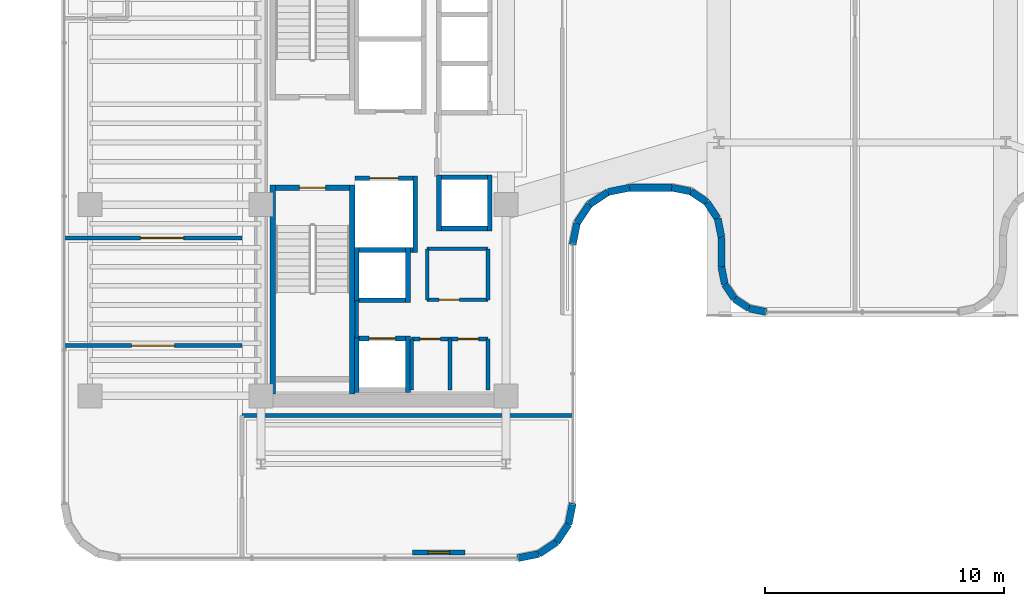
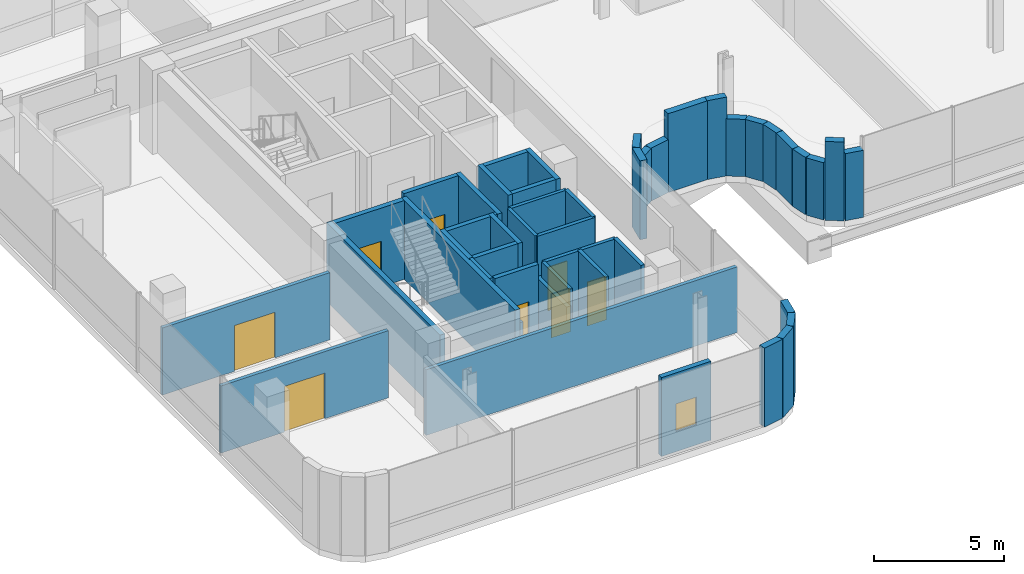
# One storey, part 27 of 35: 47 walls, 8 doors, 1 window, 9 openings.
"""IFC4 building model written with IfcOpenShell, lengths in metres."""

from ifc_helpers import new_model, si_unit, direction, frame, frame_2d, origin, place, context, subcontext, project, spatial, rectangle, extrude, material, layer, layer_set, type_object, element, fill, save


model = new_model("IFC4")

# Units and contexts
model_context = context("Model", 3, precision=1e-05, world=origin(), true_north=direction((0.0, 1.0)))
body_context = subcontext(model_context, "Body", "Model", "MODEL_VIEW")
ifc_project = project(units=[si_unit("LENGTHUNIT", "METRE"), si_unit("AREAUNIT", "SQUARE_METRE"), si_unit("VOLUMEUNIT", "CUBIC_METRE"), si_unit("PLANEANGLEUNIT", "RADIAN"), si_unit("MASSUNIT", "GRAM", prefix="KILO")], contexts=[model_context])

# Site, building, storey
site_placement = place(None, origin())
site = spatial("IfcSite", under=ifc_project, at=site_placement, CompositionType="ELEMENT")
building_placement = place(site_placement, origin())
building = spatial("IfcBuilding", under=site, at=building_placement, Name="Valdorenza Pilgrim Sanctuary Tower", CompositionType="ELEMENT")
storey_placement = place(building_placement, frame((0.0, 0.0, 192.35009765625)))
storey = spatial("IfcBuildingStorey", under=building, at=storey_placement, Name="L49", CompositionType="ELEMENT", Elevation=192.35009765625)

# Wall
ifc_material_1 = material(Name="Acoustic twin-stud gypsum partition", Category="gypsum")
ifc_layer_1 = layer(ifc_material_1, 0.159912109375, Name="Acoustic twin-stud gypsum partition")
ifc_layer_set_1 = layer_set([ifc_layer_1], Name="Acoustic twin-stud gypsum partition")
wall_type_1 = type_object("IfcWallType", Name="WAL-COR-160", PredefinedType="PARTITIONING", material=ifc_layer_set_1)
wall_1_placement = place(storey_placement, frame((-18.64990234375, -8.179931640625, 0.0), z_axis=(0.0, 0.0, 1.0), x_axis=(0.0, 1.0, 0.0)))
element("IfcWall", 1, at=wall_1_placement, inside=storey, type_object=wall_type_1, Name="L49 Core A South Lift Hall West Wall", PredefinedType="PARTITIONING", context=body_context, shape_type="SweptSolid", body=[
    extrude(rectangle(XDim=1.559814453125, YDim=0.159912109375, at=frame_2d((0.77978515625, 0.0))), origin(), (0.0, 0.0, 1.0), 3.7099609375),
])

# Wall, openings, doors
wall_2_placement = place(storey_placement, frame((-16.35009765625, -8.219970703125, 0.0), z_axis=(0.0, 0.0, 1.0), x_axis=(1.0, 0.0, 0.0)))
wall_2 = element("IfcWall", 2, at=wall_2_placement, inside=storey, type_object=wall_type_1, Name="L49 Freed Shaft 1 North Wall", PredefinedType="PARTITIONING", context=body_context, shape_type="SweptSolid", body=[
    extrude(rectangle(XDim=3.2001953125, YDim=0.159912109375, at=frame_2d((1.60009765625, 0.0))), origin(), (0.0, 0.0, 1.0), 3.7099609375),
])
opening_1_placement = place(wall_2_placement, frame((0.35009765625, 0.0, 0.0)))
opening_1 = element("IfcOpeningElement", 3, at=opening_1_placement, cuts=wall_2, Name="Opening DR-RS1", PredefinedType="OPENING", context=body_context, shape_type="SweptSolid", body=[
    extrude(rectangle(XDim=0.85009765625, YDim=2.050048828125, at=frame_2d((0.425048828125, 1.02490234375))), frame((0.0, 0.0947265625, 0.0), z_axis=(0.0, -1.0, 0.0), x_axis=(1.0, 0.0, 0.0)), (0.0, 0.0, 1.0), 0.189697265625),
])
opening_2_placement = place(wall_2_placement, frame((1.949951171875, 0.0, 0.0)))
opening_2 = element("IfcOpeningElement", 4, at=opening_2_placement, cuts=wall_2, Name="Opening DR-RS1", PredefinedType="OPENING", context=body_context, shape_type="SweptSolid", body=[
    extrude(rectangle(XDim=0.85009765625, YDim=2.050048828125, at=frame_2d((0.425048828125, 1.02490234375))), frame((0.0, 0.0947265625, 0.0), z_axis=(0.0, -1.0, 0.0), x_axis=(1.0, 0.0, 0.0)), (0.0, 0.0, 1.0), 0.189697265625),
])
ifc_material_2 = material(Name="Painted galvanized steel", Category="steel")
door_type_1 = type_object("IfcDoorType", Name="DR-RSR-850", OperationType="NOTDEFINED", PredefinedType="DOOR", material=ifc_material_2)
door_1_placement = place(opening_1_placement, origin())
door_1 = element("IfcDoor", 5, at=door_1_placement, inside=storey, type_object=door_type_1, Name="L49 Linen Store Door", OperationType="SINGLE_SWING_RIGHT", OverallHeight=2.050048828125, OverallWidth=0.85009765625, PredefinedType="DOOR", context=body_context, shape_type="SweptSolid", body=[
    extrude(rectangle(XDim=0.85009765625, YDim=2.050048828125, at=frame_2d((0.425048828125, 1.02490234375))), frame((0.0, 0.02490234375, 0.0), z_axis=(0.0, -1.0, 0.0), x_axis=(1.0, 0.0, 0.0)), (0.0, 0.0, 1.0), 0.050048828125),
])
fill(opening_1, door_1)
door_2_placement = place(opening_2_placement, origin())
door_2 = element("IfcDoor", 6, at=door_2_placement, inside=storey, type_object=door_type_1, Name="L49 Cot Store Door", OperationType="SINGLE_SWING_LEFT", OverallHeight=2.050048828125, OverallWidth=0.85009765625, PredefinedType="DOOR", context=body_context, shape_type="SweptSolid", body=[
    extrude(rectangle(XDim=0.85009765625, YDim=2.050048828125, at=frame_2d((0.425048828125, 1.02490234375))), frame((0.0, 0.02490234375, 0.0), z_axis=(0.0, -1.0, 0.0), x_axis=(1.0, 0.0, 0.0)), (0.0, 0.0, 1.0), 0.050048828125),
])
fill(opening_2, door_2)

# Walls
for number, where, z_axis, x_axis, name in (
    (7, (-13.14990234375, -10.35009765625, 0.0), (0.0, 0.0, 1.0), (0.0, 1.0, 0.0), "L49 Freed Shaft 1 East Wall"),
    (8, (-14.75, -10.35009765625, 0.0), (0.0, 0.0, 1.0), (0.0, 1.0, 0.0), "L49 Freed Shaft 1 Split Wall"),
):
    element("IfcWall", number, at=place(storey_placement, frame(where, z_axis=z_axis, x_axis=x_axis)), inside=storey, type_object=wall_type_1, Name=name, PredefinedType="PARTITIONING", context=body_context, shape_type="SweptSolid", body=[
        extrude(rectangle(XDim=2.130126953125, YDim=0.159912109375, at=frame_2d((1.06494140625, 0.0))), origin(), (0.0, 0.0, 1.0), 3.7099609375),
    ])

# Wall, opening, door
wall_3_placement = place(storey_placement, frame((-15.699951171875, -6.580078125, 0.0), z_axis=(0.0, 0.0, 1.0), x_axis=(1.0, 0.0, 0.0)))
wall_3 = element("IfcWall", 9, at=wall_3_placement, inside=storey, type_object=wall_type_1, Name="L49 Freed Shaft 2 South Wall", PredefinedType="PARTITIONING", context=body_context, shape_type="SweptSolid", body=[
    extrude(rectangle(XDim=2.550048828125, YDim=0.159912109375, at=frame_2d((1.27490234375, 0.0))), origin(), (0.0, 0.0, 1.0), 3.7099609375),
])
opening_3_placement = place(wall_3_placement, frame((0.5, 0.0, 0.0)))
opening_3 = element("IfcOpeningElement", 10, at=opening_3_placement, cuts=wall_3, Name="Opening DR-RS1", PredefinedType="OPENING", context=body_context, shape_type="SweptSolid", body=[
    extrude(rectangle(XDim=0.85009765625, YDim=2.050048828125, at=frame_2d((0.425048828125, 1.02490234375))), frame((0.0, 0.0947265625, 0.0), z_axis=(0.0, -1.0, 0.0), x_axis=(1.0, 0.0, 0.0)), (0.0, 0.0, 1.0), 0.189697265625),
])
door_3_placement = place(opening_3_placement, origin())
door_3 = element("IfcDoor", 11, at=door_3_placement, inside=storey, type_object=door_type_1, Name="L49 Guest Tea Pantry Door", OperationType="SINGLE_SWING_RIGHT", OverallHeight=2.050048828125, OverallWidth=0.85009765625, PredefinedType="DOOR", context=body_context, shape_type="SweptSolid", body=[
    extrude(rectangle(XDim=0.85009765625, YDim=2.050048828125, at=frame_2d((0.425048828125, 1.02490234375))), frame((0.0, 0.02490234375, 0.0), z_axis=(0.0, -1.0, 0.0), x_axis=(1.0, 0.0, 0.0)), (0.0, 0.0, 1.0), 0.050048828125),
])
fill(opening_3, door_3)

# Walls
wall_4_placement = place(storey_placement, frame((-13.14990234375, -6.580078125, 0.0), z_axis=(0.0, 0.0, 1.0), x_axis=(0.0, 1.0, 0.0)))
element("IfcWall", 12, at=wall_4_placement, inside=storey, type_object=wall_type_1, Name="L49 Freed Shaft 2 East Wall", PredefinedType="PARTITIONING", context=body_context, shape_type="SweptSolid", body=[
    extrude(rectangle(XDim=2.130126953125, YDim=0.159912109375, at=frame_2d((1.06494140625, 0.0))), origin(), (0.0, 0.0, 1.0), 3.7099609375),
])
wall_5_placement = place(storey_placement, frame((-23.449951171875, -11.419921875, 0.0), z_axis=(0.0, 0.0, 1.0), x_axis=(1.0, 0.0, 0.0)))
element("IfcWall", 13, at=wall_5_placement, inside=storey, type_object=wall_type_1, Name="L49 South-East Pocket North Wall", PredefinedType="PARTITIONING", context=body_context, shape_type="SweptSolid", body=[
    extrude(rectangle(XDim=13.83984375, YDim=0.159912109375, at=frame_2d((6.919921875, 0.0))), origin(), (0.0, 0.0, 1.0), 3.083984375),
])

# Wall, opening, door
wall_6_placement = place(storey_placement, frame((-30.889892578125, -8.5, 0.0), z_axis=(0.0, 0.0, 1.0), x_axis=(1.0, 0.0, 0.0)))
wall_6 = element("IfcWall", 14, at=wall_6_placement, inside=storey, type_object=wall_type_1, Name="L49 Cloister South Room Wall", PredefinedType="PARTITIONING", context=body_context, shape_type="SweptSolid", body=[
    extrude(rectangle(XDim=7.43994140625, YDim=0.159912109375, at=frame_2d((3.719970703125, 0.0))), origin(), (0.0, 0.0, 1.0), 3.156005859375),
])
opening_4_placement = place(wall_6_placement, frame((2.820068359375, 0.0, 0.0)))
opening_4 = element("IfcOpeningElement", 15, at=opening_4_placement, cuts=wall_6, Name="Opening DR-HL1", PredefinedType="OPENING", context=body_context, shape_type="SweptSolid", body=[
    extrude(rectangle(XDim=1.800048828125, YDim=2.14990234375, at=frame_2d((0.89990234375, 1.074951171875))), frame((0.0, 0.0947265625, 0.0), z_axis=(0.0, -1.0, 0.0), x_axis=(1.0, 0.0, 0.0)), (0.0, 0.0, 1.0), 0.189697265625),
])
ifc_material_3 = material(Name="Acoustic oak and vision-glass double door", Category="glass")
door_type_2 = type_object("IfcDoorType", Name="DR-HALL-1800", OperationType="NOTDEFINED", PredefinedType="DOOR", material=ifc_material_3)
door_4_placement = place(opening_4_placement, frame((1.800048828125, 0.0, 0.0), z_axis=(0.0, 0.0, 1.0), x_axis=(-1.0, 0.0, 0.0)))
door_4 = element("IfcDoor", 16, at=door_4_placement, inside=storey, type_object=door_type_2, Name="L49 Sacred Archive Reading Library L49-S1 Door", OperationType="DOUBLE_DOOR_SINGLE_SWING", OverallHeight=2.14990234375, OverallWidth=1.800048828125, PredefinedType="DOOR", context=body_context, shape_type="SweptSolid", body=[
    extrude(rectangle(XDim=1.800048828125, YDim=2.14990234375, at=frame_2d((0.89990234375, 1.074951171875))), frame((0.0, 0.02490234375, 0.0), z_axis=(0.0, -1.0, 0.0), x_axis=(1.0, 0.0, 0.0)), (0.0, 0.0, 1.0), 0.050048828125),
])
fill(opening_4, door_4)

wall_7_placement = place(storey_placement, frame((-30.889892578125, -4.0, 0.0), z_axis=(0.0, 0.0, 1.0), x_axis=(1.0, 0.0, 0.0)))
wall_7 = element("IfcWall", 17, at=wall_7_placement, inside=storey, type_object=wall_type_1, Name="L49 Cloister Mid Wall", PredefinedType="PARTITIONING", context=body_context, shape_type="SweptSolid", body=[
    extrude(rectangle(XDim=7.43994140625, YDim=0.159912109375, at=frame_2d((3.719970703125, 0.0))), origin(), (0.0, 0.0, 1.0), 3.156005859375),
])
opening_5_placement = place(wall_7_placement, frame((3.199951171875, 0.0, 0.0)))
opening_5 = element("IfcOpeningElement", 18, at=opening_5_placement, cuts=wall_7, Name="Opening DR-HL1", PredefinedType="OPENING", context=body_context, shape_type="SweptSolid", body=[
    extrude(rectangle(XDim=1.800048828125, YDim=2.14990234375, at=frame_2d((0.89990234375, 1.074951171875))), frame((0.0, 0.0947265625, 0.0), z_axis=(0.0, -1.0, 0.0), x_axis=(1.0, 0.0, 0.0)), (0.0, 0.0, 1.0), 0.189697265625),
])
door_5_placement = place(opening_5_placement, frame((1.800048828125, 0.0, 0.0), z_axis=(0.0, 0.0, 1.0), x_axis=(-1.0, 0.0, 0.0)))
door_5 = element("IfcDoor", 19, at=door_5_placement, inside=storey, type_object=door_type_2, Name="L49 Cloister Mid Double Door", OperationType="DOUBLE_DOOR_SINGLE_SWING", OverallHeight=2.14990234375, OverallWidth=1.800048828125, PredefinedType="DOOR", context=body_context, shape_type="SweptSolid", body=[
    extrude(rectangle(XDim=1.800048828125, YDim=2.14990234375, at=frame_2d((0.89990234375, 1.074951171875))), frame((0.0, 0.02490234375, 0.0), z_axis=(0.0, -1.0, 0.0), x_axis=(1.0, 0.0, 0.0)), (0.0, 0.0, 1.0), 0.050048828125),
])
fill(opening_5, door_5)

# Walls
ifc_material_4 = material(Name="Honed travertine limestone", Category="masonry")
ifc_layer_2 = layer(ifc_material_4, 0.300048828125, Name="Honed travertine limestone")
ifc_layer_set_2 = layer_set([ifc_layer_2], Name="Honed travertine limestone")
wall_type_2 = type_object("IfcWallType", Name="WAL-EXT-300", PredefinedType="SOLIDWALL", material=ifc_layer_set_2)
wall_8_placement = place(storey_placement, frame((-1.51318359375, -7.090087890625, 0.0), z_axis=(0.0, 0.0, 1.0), x_axis=(-0.980783640462, 0.195098566376, 0.0)))
element("IfcWall", 20, at=wall_8_placement, inside=storey, type_object=wall_type_2, Name="L49 Rounded Wind-Corner Stone Pier 63", PredefinedType="SOLIDWALL", context=body_context, shape_type="SweptSolid", body=[
    extrude(rectangle(XDim=0.73828125, YDim=0.300048828125, at=frame_2d((0.369140625, 0.0))), origin(), (0.0, 0.0, 1.0), 3.156005859375),
])
wall_9_placement = place(storey_placement, frame((-2.2373046875, -6.946044921875, 0.0), z_axis=(0.0, 0.0, 1.0), x_axis=(-0.831378135196, 0.555707113792, 0.0)))
element("IfcWall", 21, at=wall_9_placement, inside=storey, type_object=wall_type_2, Name="L49 Rounded Wind-Corner Stone Pier 64", PredefinedType="SOLIDWALL", context=body_context, shape_type="SweptSolid", body=[
    extrude(rectangle(XDim=0.72705078125, YDim=0.300048828125, at=frame_2d((0.363525390625, 0.0))), origin(), (0.0, 0.0, 1.0), 3.7099609375),
])
wall_10_placement = place(storey_placement, frame((-2.841796875, -6.5419921875, 0.0), z_axis=(0.0, 0.0, 1.0), x_axis=(-0.555784030735, 0.83132671747, 0.0)))
element("IfcWall", 22, at=wall_10_placement, inside=storey, type_object=wall_type_2, Name="L49 Rounded Wind-Corner Stone Pier 65", PredefinedType="SOLIDWALL", context=body_context, shape_type="SweptSolid", body=[
    extrude(rectangle(XDim=0.7275390625, YDim=0.300048828125, at=frame_2d((0.36376953125, 0.0))), origin(), (0.0, 0.0, 1.0), 2.69482421875),
])
wall_11_placement = place(storey_placement, frame((-3.24609375, -5.937255859375, 0.0), z_axis=(0.0, 0.0, 1.0), x_axis=(-0.194780446724, 0.980846867546, 0.0)))
element("IfcWall", 23, at=wall_11_placement, inside=storey, type_object=wall_type_2, Name="L49 Rounded Wind-Corner Stone Pier 66", PredefinedType="SOLIDWALL", context=body_context, shape_type="SweptSolid", body=[
    extrude(rectangle(XDim=0.73828125, YDim=0.300048828125, at=frame_2d((0.369140625, 0.0))), origin(), (0.0, 0.0, 1.0), 2.69482421875),
])
wall_12_placement = place(storey_placement, frame((-3.389892578125, -5.213134765625, 0.0), z_axis=(0.0, 0.0, 1.0), x_axis=(0.0, 1.0, 0.0)))
element("IfcWall", 24, at=wall_12_placement, inside=storey, type_object=wall_type_2, Name="L49 Rounded Wind-Corner Stone Pier 67", PredefinedType="SOLIDWALL", context=body_context, shape_type="SweptSolid", body=[
    extrude(rectangle(XDim=1.248046875, YDim=0.300048828125, at=frame_2d((0.6240234375, 0.0))), origin(), (0.0, 0.0, 1.0), 2.69482421875),
])
wall_13_placement = place(storey_placement, frame((-3.389892578125, -3.965087890625, 0.0), z_axis=(0.0, 0.0, 1.0), x_axis=(-0.195356525272, 0.980732291726, 0.0)))
element("IfcWall", 25, at=wall_13_placement, inside=storey, type_object=wall_type_2, Name="L49 Rounded Wind-Corner Stone Pier 68", PredefinedType="SOLIDWALL", context=body_context, shape_type="SweptSolid", body=[
    extrude(rectangle(XDim=0.803466796875, YDim=0.300048828125, at=frame_2d((0.40185546875, 0.0))), origin(), (0.0, 0.0, 1.0), 2.69482421875),
])
for number, where, z_axis, x_axis, name in (
    (26, (-3.546875, -3.177001953125, 0.0), (0.0, 0.0, 1.0), (-0.555529688413, 0.831496701913, 0.0), "L49 Rounded Wind-Corner Stone Pier 69"),
    (27, (-3.99951171875, -2.49951171875, 0.0), (0.0, 0.0, 1.0), (-0.831496701913, 0.555529688413, 0.0), "L49 Rounded Wind-Corner Stone Pier 70"),
):
    element("IfcWall", number, at=place(storey_placement, frame(where, z_axis=z_axis, x_axis=x_axis)), inside=storey, type_object=wall_type_2, Name=name, PredefinedType="SOLIDWALL", context=body_context, shape_type="SweptSolid", body=[
        extrude(rectangle(XDim=0.814697265625, YDim=0.300048828125, at=frame_2d((0.4072265625, 0.0))), origin(), (0.0, 0.0, 1.0), 2.69482421875),
    ])
wall_14_placement = place(storey_placement, frame((-4.677001953125, -2.046875, 0.0), z_axis=(0.0, 0.0, 1.0), x_axis=(-0.980732291726, 0.195356525272, 0.0)))
element("IfcWall", 28, at=wall_14_placement, inside=storey, type_object=wall_type_2, Name="L49 Rounded Wind-Corner Stone Pier 71", PredefinedType="SOLIDWALL", context=body_context, shape_type="SweptSolid", body=[
    extrude(rectangle(XDim=0.803466796875, YDim=0.300048828125, at=frame_2d((0.40185546875, 0.0))), origin(), (0.0, 0.0, 1.0), 3.7099609375),
])
wall_15_placement = place(storey_placement, frame((-5.465087890625, -1.889892578125, 0.0), z_axis=(0.0, 0.0, 1.0), x_axis=(-1.0, 0.0, 0.0)))
element("IfcWall", 29, at=wall_15_placement, inside=storey, type_object=wall_type_2, Name="L49 Rounded Wind-Corner Stone Pier 72", PredefinedType="SOLIDWALL", context=body_context, shape_type="SweptSolid", body=[
    extrude(rectangle(XDim=1.765625, YDim=0.300048828125, at=frame_2d((0.8828125, 0.0))), origin(), (0.0, 0.0, 1.0), 3.7099609375),
])
wall_16_placement = place(storey_placement, frame((-7.230712890625, -1.889892578125, 0.0), z_axis=(0.0, 0.0, 1.0), x_axis=(-0.980743190895, -0.195301801101, 0.0)))
element("IfcWall", 30, at=wall_16_placement, inside=storey, type_object=wall_type_2, Name="L49 Rounded Wind-Corner Stone Pier 73", PredefinedType="SOLIDWALL", context=body_context, shape_type="SweptSolid", body=[
    extrude(rectangle(XDim=0.922607421875, YDim=0.300048828125, at=frame_2d((0.46142578125, 0.0))), origin(), (0.0, 0.0, 1.0), 2.494873046875),
])
wall_17_placement = place(storey_placement, frame((-8.135498046875, -2.070068359375, 0.0), z_axis=(0.0, 0.0, 1.0), x_axis=(-0.831607331814, -0.555364065883, 0.0)))
element("IfcWall", 31, at=wall_17_placement, inside=storey, type_object=wall_type_2, Name="L49 Rounded Wind-Corner Stone Pier 74", PredefinedType="SOLIDWALL", context=body_context, shape_type="SweptSolid", body=[
    extrude(rectangle(XDim=0.933349609375, YDim=0.300048828125, at=frame_2d((0.466796875, 0.0))), origin(), (0.0, 0.0, 1.0), 2.494873046875),
])
wall_18_placement = place(storey_placement, frame((-8.91162109375, -2.58837890625, 0.0), z_axis=(0.0, 0.0, 1.0), x_axis=(-0.555364065883, -0.831607331814, 0.0)))
element("IfcWall", 32, at=wall_18_placement, inside=storey, type_object=wall_type_2, Name="L49 Rounded Wind-Corner Stone Pier 75", PredefinedType="SOLIDWALL", context=body_context, shape_type="SweptSolid", body=[
    extrude(rectangle(XDim=0.933349609375, YDim=0.300048828125, at=frame_2d((0.466796875, 0.0))), origin(), (0.0, 0.0, 1.0), 3.7099609375),
])
wall_19_placement = place(storey_placement, frame((-9.429931640625, -3.364501953125, 0.0), z_axis=(0.0, 0.0, 1.0), x_axis=(-0.195301801101, -0.980743190895, 0.0)))
element("IfcWall", 33, at=wall_19_placement, inside=storey, type_object=wall_type_2, Name="L49 Rounded Wind-Corner Stone Pier 76", PredefinedType="SOLIDWALL", context=body_context, shape_type="SweptSolid", body=[
    extrude(rectangle(XDim=0.922607421875, YDim=0.300048828125, at=frame_2d((0.46142578125, 0.0))), origin(), (0.0, 0.0, 1.0), 3.7099609375),
])
wall_20_placement = place(storey_placement, frame((-9.610107421875, -15.089111328125, 0.0), z_axis=(0.0, 0.0, 1.0), x_axis=(-0.195025152871, -0.980798241101, 0.0)))
element("IfcWall", 34, at=wall_20_placement, inside=storey, type_object=wall_type_2, Name="L49 Rounded Wind-Corner Stone Pier 78", PredefinedType="SOLIDWALL", context=body_context, shape_type="SweptSolid", body=[
    extrude(rectangle(XDim=0.90380859375, YDim=0.300048828125, at=frame_2d((0.451904296875, 0.0))), origin(), (0.0, 0.0, 1.0), 3.7099609375),
])
for number, where, z_axis, x_axis, name in (
    (35, (-9.786376953125, -15.9755859375, 0.0), (0.0, 0.0, 1.0), (-0.555520488502, -0.831502848374, 0.0), "L49 Rounded Wind-Corner Stone Pier 79"),
    (36, (-10.2822265625, -16.7177734375, 0.0), (0.0, 0.0, 1.0), (-0.831502848374, -0.555520488502, 0.0), "L49 Rounded Wind-Corner Stone Pier 80"),
):
    element("IfcWall", number, at=place(storey_placement, frame(where, z_axis=z_axis, x_axis=x_axis)), inside=storey, type_object=wall_type_2, Name=name, PredefinedType="SOLIDWALL", context=body_context, shape_type="SweptSolid", body=[
        extrude(rectangle(XDim=0.892578125, YDim=0.300048828125, at=frame_2d((0.4462890625, 0.0))), origin(), (0.0, 0.0, 1.0), 3.7099609375),
    ])
wall_21_placement = place(storey_placement, frame((-11.0244140625, -17.213623046875, 0.0), z_axis=(0.0, 0.0, 1.0), x_axis=(-0.980798241101, -0.195025152871, 0.0)))
element("IfcWall", 37, at=wall_21_placement, inside=storey, type_object=wall_type_2, Name="L49 Rounded Wind-Corner Stone Pier 81", PredefinedType="SOLIDWALL", context=body_context, shape_type="SweptSolid", body=[
    extrude(rectangle(XDim=0.90380859375, YDim=0.300048828125, at=frame_2d((0.451904296875, 0.0))), origin(), (0.0, 0.0, 1.0), 3.7099609375),
])

# Wall, opening, window
wall_22_placement = place(storey_placement, frame((-14.11083984375, -17.14990234375, 0.0), z_axis=(0.0, 0.0, 1.0), x_axis=(-1.0, 0.0, 0.0)))
wall_22 = element("IfcWall", 38, at=wall_22_placement, inside=storey, type_object=wall_type_2, Name="L49 Operable Ventilation Sash Jamb Pier", PredefinedType="SOLIDWALL", context=body_context, shape_type="SweptSolid", body=[
    extrude(rectangle(XDim=2.199951171875, YDim=0.219970703125, at=frame_2d((1.10009765625, 0.0))), origin(), (0.0, 0.0, 1.0), 3.7099609375),
])
opening_6_placement = place(wall_22_placement, frame((0.64990234375, 0.0, 0.949951171875)))
opening_6 = element("IfcOpeningElement", 39, at=opening_6_placement, cuts=wall_22, Name="Opening WN-OP1", PredefinedType="OPENING", context=body_context, shape_type="SweptSolid", body=[
    extrude(rectangle(XDim=0.89990234375, YDim=1.300048828125, at=frame_2d((0.449951171875, 0.64990234375))), frame((0.0, 0.125, 0.0), z_axis=(0.0, -1.0, 0.0), x_axis=(1.0, 0.0, 0.0)), (0.0, 0.0, 1.0), 0.249755859375),
])
ifc_material_5 = material(Name="Ceramic-fritted low-E IGU glazing", Category="glass")
window_type = type_object("IfcWindowType", Name="WIN-OPN-900", PartitioningType="SINGLE_PANEL", PredefinedType="WINDOW", material=ifc_material_5)
window_placement = place(opening_6_placement, origin())
window = element("IfcWindow", 40, at=window_placement, inside=storey, type_object=window_type, Name="L49 Parallel-Pop-Out Operable Facade Panel", OverallHeight=1.300048828125, OverallWidth=0.89990234375, PartitioningType="SINGLE_PANEL", PredefinedType="WINDOW", context=body_context, shape_type="SweptSolid", body=[
    extrude(rectangle(XDim=0.89990234375, YDim=1.300048828125, at=frame_2d((0.449951171875, 0.64990234375))), frame((0.0, 0.030029296875, 0.0), z_axis=(0.0, -1.0, 0.0), x_axis=(1.0, 0.0, 0.0)), (0.0, 0.0, 1.0), 0.06005859375),
])
fill(opening_6, window)

# Walls
ifc_material_6 = material(Name="Autoclaved aerated concrete blockwork", Category="masonry")
ifc_layer_3 = layer(ifc_material_6, 0.199951171875, Name="Autoclaved aerated concrete blockwork")
ifc_layer_set_3 = layer_set([ifc_layer_3], Name="Autoclaved aerated concrete blockwork")
wall_type_3 = type_object("IfcWallType", Name="WAL-SHF-200", PredefinedType="MOVABLE", material=ifc_layer_set_3)
wall_23_placement = place(storey_placement, frame((-16.199951171875, -4.60009765625, 0.0), z_axis=(0.0, 0.0, 1.0), x_axis=(0.0, 1.0, 0.0)))
element("IfcWall", 41, at=wall_23_placement, inside=storey, type_object=wall_type_3, Name="L49 Lift FFL-02 Hoistway Wall East", PredefinedType="MOVABLE", context=body_context, shape_type="SweptSolid", body=[
    extrude(rectangle(XDim=3.2001953125, YDim=0.199951171875, at=frame_2d((1.60009765625, 0.0))), origin(), (0.0, 0.0, 1.0), 3.7099609375),
])
wall_24_placement = place(storey_placement, frame((-18.719970703125, -4.5, 0.0), z_axis=(0.0, 0.0, 1.0), x_axis=(1.0, 0.0, 0.0)))
element("IfcWall", 42, at=wall_24_placement, inside=storey, type_object=wall_type_3, Name="L49 Lift FFL-02 Hoistway Wall South", PredefinedType="MOVABLE", context=body_context, shape_type="SweptSolid", body=[
    extrude(rectangle(XDim=2.419921875, YDim=0.199951171875, at=frame_2d((1.2099609375, 0.0))), origin(), (0.0, 0.0, 1.0), 3.7099609375),
])

# Wall, opening, door
wall_25_placement = place(storey_placement, frame((-18.719970703125, -1.5, 0.0), z_axis=(0.0, 0.0, 1.0), x_axis=(1.0, 0.0, 0.0)))
wall_25 = element("IfcWall", 43, at=wall_25_placement, inside=storey, type_object=wall_type_3, Name="L49 Lift FFL-02 Hoistway Wall North", PredefinedType="MOVABLE", context=body_context, shape_type="SweptSolid", body=[
    extrude(rectangle(XDim=2.419921875, YDim=0.199951171875, at=frame_2d((1.2099609375, 0.0))), origin(), (0.0, 0.0, 1.0), 3.7099609375),
])
opening_7_placement = place(wall_25_placement, frame((0.610107421875, 0.0, 0.0)))
opening_7 = element("IfcOpeningElement", 44, at=opening_7_placement, cuts=wall_25, Name="Opening LD-02", PredefinedType="OPENING", context=body_context, shape_type="SweptSolid", body=[
    extrude(rectangle(XDim=1.199951171875, YDim=2.10009765625, at=frame_2d((0.60009765625, 1.050048828125))), frame((0.0, 0.11474609375, 0.0), z_axis=(0.0, -1.0, 0.0), x_axis=(1.0, 0.0, 0.0)), (0.0, 0.0, 1.0), 0.229736328125),
])
ifc_material_7 = material(Name="Brushed stainless steel Grade 316", Category="steel")
door_type_3 = type_object("IfcDoorType", Name="DR-LFT-1200", OperationType="DOUBLE_DOOR_SLIDING", PredefinedType="DOOR", material=ifc_material_7)
door_6_placement = place(opening_7_placement, origin())
door_6 = element("IfcDoor", 45, at=door_6_placement, inside=storey, type_object=door_type_3, Name="L49 Lift FFL-02 Sliding Landing Door", OperationType="DOUBLE_DOOR_SLIDING", OverallHeight=2.10009765625, OverallWidth=1.199951171875, PredefinedType="DOOR", context=body_context, shape_type="SweptSolid", body=[
    extrude(rectangle(XDim=1.199951171875, YDim=2.10009765625, at=frame_2d((0.60009765625, 1.050048828125))), frame((0.0, 0.02490234375, 0.0), z_axis=(0.0, -1.0, 0.0), x_axis=(1.0, 0.0, 0.0)), (0.0, 0.0, 1.0), 0.050048828125),
])
fill(opening_7, door_6)

# Walls
for number, where, z_axis, x_axis, name in (
    (46, (-18.64990234375, -10.449951171875, 0.0), (0.0, 0.0, 1.0), (0.0, 1.0, 0.0), "L49 Lift PL-05 Hoistway Wall West"),
    (47, (-16.5, -10.449951171875, 0.0), (0.0, 0.0, 1.0), (0.0, 1.0, 0.0), "L49 Lift PL-05 Hoistway Wall East"),
):
    element("IfcWall", number, at=place(storey_placement, frame(where, z_axis=z_axis, x_axis=x_axis)), inside=storey, type_object=wall_type_3, Name=name, PredefinedType="MOVABLE", context=body_context, shape_type="SweptSolid", body=[
        extrude(rectangle(XDim=2.349853515625, YDim=0.199951171875, at=frame_2d((1.1748046875, 0.0))), origin(), (0.0, 0.0, 1.0), 2.993896484375),
    ])

# Wall, opening, door
wall_26_placement = place(storey_placement, frame((-18.550048828125, -8.199951171875, 0.0), z_axis=(0.0, 0.0, 1.0), x_axis=(1.0, 0.0, 0.0)))
wall_26 = element("IfcWall", 48, at=wall_26_placement, inside=storey, type_object=wall_type_3, Name="L49 Lift PL-05 Hoistway Wall North", PredefinedType="MOVABLE", context=body_context, shape_type="SweptSolid", body=[
    extrude(rectangle(XDim=1.949951171875, YDim=0.199951171875, at=frame_2d((0.97509765625, 0.0))), origin(), (0.0, 0.0, 1.0), 3.7099609375),
])
opening_8_placement = place(wall_26_placement, frame((0.425048828125, 0.0, 0.0)))
opening_8 = element("IfcOpeningElement", 49, at=opening_8_placement, cuts=wall_26, Name="Opening LD-01", PredefinedType="OPENING", context=body_context, shape_type="SweptSolid", body=[
    extrude(rectangle(XDim=1.10009765625, YDim=2.10009765625, at=frame_2d((0.550048828125, 1.050048828125))), frame((0.0, 0.11474609375, 0.0), z_axis=(0.0, -1.0, 0.0), x_axis=(1.0, 0.0, 0.0)), (0.0, 0.0, 1.0), 0.229736328125),
])
door_type_4 = type_object("IfcDoorType", Name="DR-LFT-1100", OperationType="DOUBLE_DOOR_SLIDING", PredefinedType="DOOR", material=ifc_material_7)
door_7_placement = place(opening_8_placement, origin())
door_7 = element("IfcDoor", 50, at=door_7_placement, inside=storey, type_object=door_type_4, Name="L49 Lift PL-05 Sliding Landing Door", OperationType="DOUBLE_DOOR_SLIDING", OverallHeight=2.10009765625, OverallWidth=1.10009765625, PredefinedType="DOOR", context=body_context, shape_type="SweptSolid", body=[
    extrude(rectangle(XDim=1.10009765625, YDim=2.10009765625, at=frame_2d((0.550048828125, 1.050048828125))), frame((0.0, 0.02490234375, 0.0), z_axis=(0.0, -1.0, 0.0), x_axis=(1.0, 0.0, 0.0)), (0.0, 0.0, 1.0), 0.050048828125),
])
fill(opening_8, door_7)

# Walls
for number, where, z_axis, x_axis, name in (
    (51, (-18.64990234375, -6.699951171875, 0.0), (0.0, 0.0, 1.0), (0.0, 1.0, 0.0), "L49 Lift PL-11 Hoistway Wall West"),
    (52, (-16.5, -6.699951171875, 0.0), (0.0, 0.0, 1.0), (0.0, 1.0, 0.0), "L49 Lift PL-11 Hoistway Wall East"),
):
    element("IfcWall", number, at=place(storey_placement, frame(where, z_axis=z_axis, x_axis=x_axis)), inside=storey, type_object=wall_type_3, Name=name, PredefinedType="MOVABLE", context=body_context, shape_type="SweptSolid", body=[
        extrude(rectangle(XDim=2.300048828125, YDim=0.199951171875, at=frame_2d((1.14990234375, 0.0))), origin(), (0.0, 0.0, 1.0), 3.7099609375),
    ])
wall_27_placement = place(storey_placement, frame((-18.550048828125, -6.60009765625, 0.0), z_axis=(0.0, 0.0, 1.0), x_axis=(1.0, 0.0, 0.0)))
element("IfcWall", 53, at=wall_27_placement, inside=storey, type_object=wall_type_3, Name="L49 Lift PL-11 Hoistway Wall South", PredefinedType="MOVABLE", context=body_context, shape_type="SweptSolid", body=[
    extrude(rectangle(XDim=1.949951171875, YDim=0.199951171875, at=frame_2d((0.97509765625, 0.0))), origin(), (0.0, 0.0, 1.0), 3.7099609375),
])
for number, where, z_axis, x_axis, name in (
    (54, (-15.199951171875, -3.699951171875, 0.0), (0.0, 0.0, 1.0), (0.0, 1.0, 0.0), "L49 Lift PL-12 Hoistway Wall West"),
    (55, (-13.080078125, -3.699951171875, 0.0), (0.0, 0.0, 1.0), (0.0, 1.0, 0.0), "L49 Lift PL-12 Hoistway Wall East"),
):
    element("IfcWall", number, at=place(storey_placement, frame(where, z_axis=z_axis, x_axis=x_axis)), inside=storey, type_object=wall_type_3, Name=name, PredefinedType="MOVABLE", context=body_context, shape_type="SweptSolid", body=[
        extrude(rectangle(XDim=2.349853515625, YDim=0.199951171875, at=frame_2d((1.1748046875, 0.0))), origin(), (0.0, 0.0, 1.0), 3.7099609375),
    ])
for number, where, z_axis, x_axis, name in (
    (56, (-15.10009765625, -3.60009765625, 0.0), (0.0, 0.0, 1.0), (1.0, 0.0, 0.0), "L49 Lift PL-12 Hoistway Wall South"),
    (57, (-15.10009765625, -1.449951171875, 0.0), (0.0, 0.0, 1.0), (1.0, 0.0, 0.0), "L49 Lift PL-12 Hoistway Wall North"),
):
    element("IfcWall", number, at=place(storey_placement, frame(where, z_axis=z_axis, x_axis=x_axis)), inside=storey, type_object=wall_type_3, Name=name, PredefinedType="MOVABLE", context=body_context, shape_type="SweptSolid", body=[
        extrude(rectangle(XDim=1.920166015625, YDim=0.199951171875, at=frame_2d((0.9599609375, 0.0))), origin(), (0.0, 0.0, 1.0), 3.7099609375),
    ])
ifc_material_8 = material(Name="Concrete C40/50", Category="concrete")
ifc_layer_4 = layer(ifc_material_8, 0.219970703125, Name="Concrete C40/50")
ifc_layer_set_4 = layer_set([ifc_layer_4], Name="Concrete C40/50")
wall_type_4 = type_object("IfcWallType", Name="WAL-STR-SHF-220", PredefinedType="SHEAR", material=ifc_layer_set_4)
for number, where, z_axis, x_axis, name in (
    (58, (-22.159912109375, -10.52490234375, 0.0), (0.0, 0.0, 1.0), (0.0, 1.0, 0.0), "L49 ST-A2 Structural Stairwell Wall W"),
    (59, (-18.830078125, -10.52490234375, 0.0), (0.0, 0.0, 1.0), (0.0, 1.0, 0.0), "L49 ST-A2 Structural Stairwell Wall E"),
):
    element("IfcWall", number, at=place(storey_placement, frame(where, z_axis=z_axis, x_axis=x_axis)), inside=storey, type_object=wall_type_4, Name=name, PredefinedType="SHEAR", context=body_context, shape_type="SweptSolid", body=[
        extrude(rectangle(XDim=8.744873046875, YDim=0.219970703125, at=frame_2d((4.37255859375, 0.0))), origin(), (0.0, 0.0, 1.0), 3.7099609375),
    ])

# Wall, opening, door
wall_28_placement = place(storey_placement, frame((-22.050048828125, -1.889892578125, 0.0), z_axis=(0.0, 0.0, 1.0), x_axis=(1.0, 0.0, 0.0)))
wall_28 = element("IfcWall", 60, at=wall_28_placement, inside=storey, type_object=wall_type_4, Name="L49 ST-A2 Structural Stairwell Wall N", PredefinedType="SHEAR", context=body_context, shape_type="SweptSolid", body=[
    extrude(rectangle(XDim=3.110107421875, YDim=0.219970703125, at=frame_2d((1.55517578125, 0.0))), origin(), (0.0, 0.0, 1.0), 3.7099609375),
])
opening_9_placement = place(wall_28_placement, frame((1.0, 0.0, 0.0)))
opening_9 = element("IfcOpeningElement", 61, at=opening_9_placement, cuts=wall_28, Name="Opening DR-ST1", PredefinedType="OPENING", context=body_context, shape_type="SweptSolid", body=[
    extrude(rectangle(XDim=1.10009765625, YDim=2.14990234375, at=frame_2d((0.550048828125, 1.074951171875))), frame((0.0, 0.125, 0.0), z_axis=(0.0, -1.0, 0.0), x_axis=(1.0, 0.0, 0.0)), (0.0, 0.0, 1.0), 0.249755859375),
])
door_type_5 = type_object("IfcDoorType", Name="DR-STAIR-1100", OperationType="NOTDEFINED", PredefinedType="DOOR", material=ifc_material_2)
door_8_placement = place(opening_9_placement, origin())
door_8 = element("IfcDoor", 62, at=door_8_placement, inside=storey, type_object=door_type_5, Name="L49 Exit Stair ST-A2 Door", OperationType="SINGLE_SWING_RIGHT", OverallHeight=2.14990234375, OverallWidth=1.10009765625, PredefinedType="DOOR", context=body_context, shape_type="SweptSolid", body=[
    extrude(rectangle(XDim=1.10009765625, YDim=2.14990234375, at=frame_2d((0.550048828125, 1.074951171875))), frame((0.0, 0.02490234375, 0.0), z_axis=(0.0, -1.0, 0.0), x_axis=(1.0, 0.0, 0.0)), (0.0, 0.0, 1.0), 0.050048828125),
])
fill(opening_9, door_8)

# Walls
ifc_layer_5 = layer(ifc_material_1, 0.14990234375, Name="Acoustic twin-stud gypsum partition")
ifc_layer_set_5 = layer_set([ifc_layer_5], Name="Acoustic twin-stud gypsum partition")
wall_type_5 = type_object("IfcWallType", Name="WAL-UNT-150", PredefinedType="PARTITIONING", material=ifc_layer_set_5)
for number, where, z_axis, x_axis, name in (
    (63, (-16.35009765625, -10.35009765625, 0.0), (0.0, 0.0, 1.0), (0.0, 1.0, 0.0), "L49 Freed Shaft 1 West Wall"),
    (64, (-15.699951171875, -6.580078125, 0.0), (0.0, 0.0, 1.0), (0.0, 1.0, 0.0), "L49 Freed Shaft 2 West Wall"),
):
    element("IfcWall", number, at=place(storey_placement, frame(where, z_axis=z_axis, x_axis=x_axis)), inside=storey, type_object=wall_type_5, Name=name, PredefinedType="PARTITIONING", context=body_context, shape_type="SweptSolid", body=[
        extrude(rectangle(XDim=2.130126953125, YDim=0.14990234375, at=frame_2d((1.06494140625, 0.0))), origin(), (0.0, 0.0, 1.0), 3.7099609375),
    ])
wall_29_placement = place(storey_placement, frame((-15.699951171875, -4.449951171875, 0.0), z_axis=(0.0, 0.0, 1.0), x_axis=(1.0, 0.0, 0.0)))
element("IfcWall", 65, at=wall_29_placement, inside=storey, type_object=wall_type_5, Name="L49 Freed Shaft 2 North Wall", PredefinedType="PARTITIONING", context=body_context, shape_type="SweptSolid", body=[
    extrude(rectangle(XDim=2.550048828125, YDim=0.14990234375, at=frame_2d((1.27490234375, 0.0))), origin(), (0.0, 0.0, 1.0), 3.7099609375),
])

save(model, "model.ifc")
